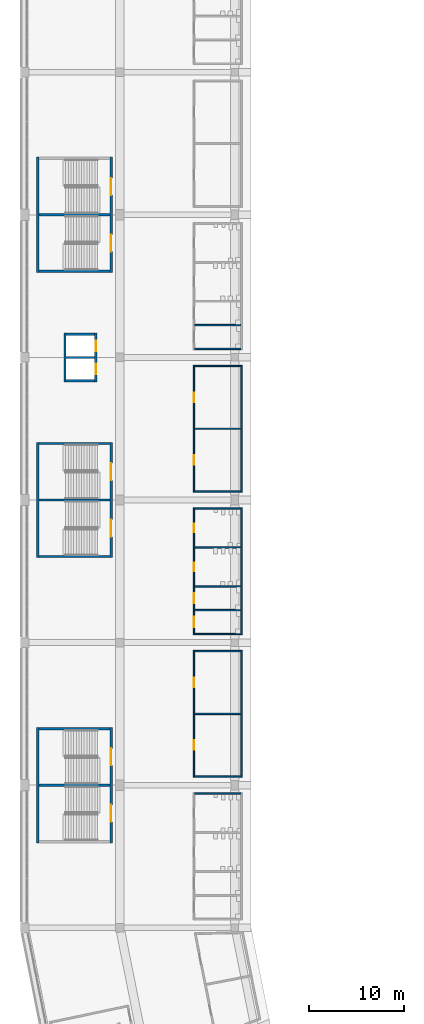
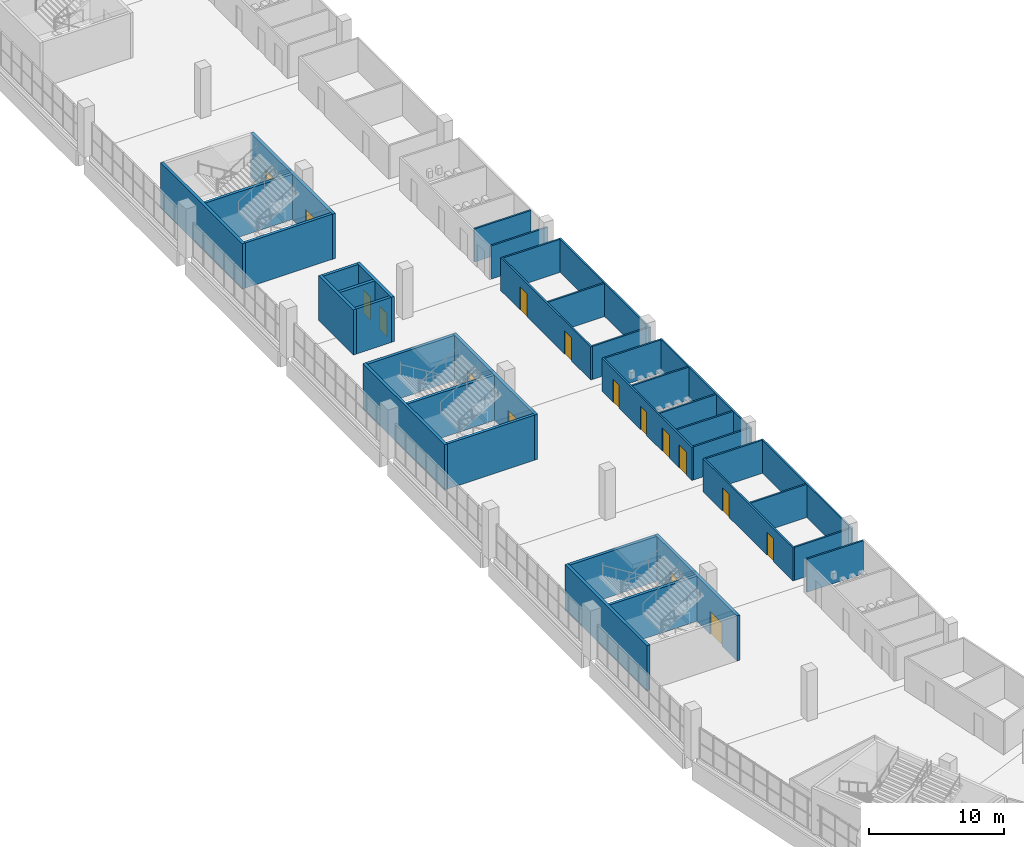
# One storey, part 79 of 199: 38 walls, 16 doors, 16 openings.
"""IFC4 building model written with IfcOpenShell, lengths in metres."""

from ifc_helpers import new_model, si_unit, direction, frame, frame_2d, origin, place, context, subcontext, project, spatial, rectangle, extrude, material, layer, layer_set, type_object, element, fill, save


model = new_model("IFC4")

# Units and contexts
model_context = context("Model", 3, precision=1e-05, world=origin(), true_north=direction((0.0, 1.0)))
body_context = subcontext(model_context, "Body", "Model", "MODEL_VIEW")
ifc_project = project(units=[si_unit("LENGTHUNIT", "METRE"), si_unit("AREAUNIT", "SQUARE_METRE"), si_unit("VOLUMEUNIT", "CUBIC_METRE"), si_unit("PLANEANGLEUNIT", "RADIAN"), si_unit("MASSUNIT", "GRAM", prefix="KILO")], contexts=[model_context])

# Site, building, storey
site_placement = place(None, origin())
site = spatial("IfcSite", under=ifc_project, at=site_placement, CompositionType="ELEMENT")
building_placement = place(site_placement, origin())
building = spatial("IfcBuilding", under=site, at=building_placement, Name="Ogive Plaza Stadium", CompositionType="ELEMENT")
storey_placement = place(building_placement, frame((0.0, 0.0, 4.5)))
storey = spatial("IfcBuildingStorey", under=building, at=storey_placement, Name="L01", CompositionType="ELEMENT", Elevation=4.5)

# Wall
ifc_material_1 = material(Name="Masonry blockwork", Category="masonry")
ifc_layer_1 = layer(ifc_material_1, 0.14990234375)
ifc_layer_set_1 = layer_set([ifc_layer_1], Name="Blockwork wall 150")
wall_type_1 = type_object("IfcWallType", Name="Blockwork wall 150", PredefinedType="SOLIDWALL", material=ifc_layer_set_1)
wall_1_placement = place(storey_placement, frame((-61.199951171875, -36.675048828125, 0.0), z_axis=(0.0, 0.0, 1.0), x_axis=(0.0, 1.0, 0.0)))
element("IfcWall", 1, at=wall_1_placement, inside=storey, type_object=wall_type_1, Name="Wall L01 B22", PredefinedType="SOLIDWALL", context=body_context, shape_type="SweptSolid", body=[
    extrude(rectangle(XDim=13.35009765625, YDim=0.14990234375, at=frame_2d((6.675048828125, 0.0))), origin(), (0.0, 0.0, 1.0), 3.0),
])

# Wall, openings, doors
wall_2_placement = place(storey_placement, frame((-66.199951171875, -36.675048828125, 0.0), z_axis=(0.0, 0.0, 1.0), x_axis=(0.0, 1.0, 0.0)))
wall_2 = element("IfcWall", 2, at=wall_2_placement, inside=storey, type_object=wall_type_1, Name="Wall L01 B22", PredefinedType="SOLIDWALL", context=body_context, shape_type="SweptSolid", body=[
    extrude(rectangle(XDim=13.35009765625, YDim=0.14990234375, at=frame_2d((6.675048828125, 0.0))), origin(), (0.0, 0.0, 1.0), 3.0),
])
opening_1_placement = place(wall_2_placement, frame((2.875, 0.0, 0.0)))
opening_1 = element("IfcOpeningElement", 3, at=opening_1_placement, cuts=wall_2, Name="Opening D0541", PredefinedType="OPENING", context=body_context, shape_type="SweptSolid", body=[
    extrude(rectangle(XDim=1.0, YDim=2.10009765625, at=frame_2d((0.5, 1.050048828125))), frame((0.0, 0.074951171875, 0.0), z_axis=(0.0, -1.0, 0.0), x_axis=(1.0, 0.0, 0.0)), (0.0, 0.0, 1.0), 0.14990234375),
])
opening_2_placement = place(wall_2_placement, frame((9.47509765625, 0.0, 0.0)))
opening_2 = element("IfcOpeningElement", 4, at=opening_2_placement, cuts=wall_2, Name="Opening D0542", PredefinedType="OPENING", context=body_context, shape_type="SweptSolid", body=[
    extrude(rectangle(XDim=1.0, YDim=2.10009765625, at=frame_2d((0.5, 1.050048828125))), frame((0.0, 0.074951171875, 0.0), z_axis=(0.0, -1.0, 0.0), x_axis=(1.0, 0.0, 0.0)), (0.0, 0.0, 1.0), 0.14990234375),
])
ifc_material_2 = material(Name="Steel ASTM A572 Grade 50", Category="steel")
door_type_1 = type_object("IfcDoorType", Name="Door 1000 x 2100", OperationType="SINGLE_SWING_LEFT", PredefinedType="DOOR", material=ifc_material_2)
door_1_placement = place(opening_1_placement, origin())
door_1 = element("IfcDoor", 5, at=door_1_placement, inside=storey, type_object=door_type_1, Name="Club Bar B22 door", OperationType="SINGLE_SWING_RIGHT", OverallHeight=2.10009765625, OverallWidth=1.0, PredefinedType="DOOR", context=body_context, shape_type="SweptSolid", body=[
    extrude(rectangle(XDim=1.0, YDim=2.10009765625, at=frame_2d((0.5, 1.050048828125))), frame((0.0, 0.02490234375, 0.0), z_axis=(0.0, -1.0, 0.0), x_axis=(1.0, 0.0, 0.0)), (0.0, 0.0, 1.0), 0.050048828125),
])
fill(opening_1, door_1)
ifc_material_3 = material(Name="Steel ASTM A572 Grade 50", Category="steel")
door_type_2 = type_object("IfcDoorType", Name="Fire door FD60 1000 x 2100", OperationType="SINGLE_SWING_LEFT", PredefinedType="DOOR", material=ifc_material_3)
door_2_placement = place(opening_2_placement, origin())
door_2 = element("IfcDoor", 6, at=door_2_placement, inside=storey, type_object=door_type_2, Name="Club Kitchen B22 door", OperationType="SINGLE_SWING_LEFT", OverallHeight=2.10009765625, OverallWidth=1.0, PredefinedType="DOOR", context=body_context, shape_type="SweptSolid", body=[
    extrude(rectangle(XDim=1.0, YDim=2.10009765625, at=frame_2d((0.5, 1.050048828125))), frame((0.0, 0.02490234375, 0.0), z_axis=(0.0, -1.0, 0.0), x_axis=(1.0, 0.0, 0.0)), (0.0, 0.0, 1.0), 0.050048828125),
])
fill(opening_2, door_2)

# Walls
for number, where, z_axis, x_axis, name in (
    (7, (-61.27490234375, -36.60009765625, 0.0), (0.0, 0.0, 1.0), (-1.0, 0.0, 0.0), "Wall L01 B22"),
    (8, (-61.27490234375, -30.0, 0.0), (0.0, 0.0, 1.0), (-1.0, 0.0, 0.0), "Wall L01 B22"),
    (9, (-61.27490234375, -23.39990234375, 0.0), (0.0, 0.0, 1.0), (-1.0, 0.0, 0.0), "Wall L01 B22"),
):
    element("IfcWall", number, at=place(storey_placement, frame(where, z_axis=z_axis, x_axis=x_axis)), inside=storey, type_object=wall_type_1, Name=name, PredefinedType="SOLIDWALL", context=body_context, shape_type="SweptSolid", body=[
        extrude(rectangle(XDim=4.85009765625, YDim=0.14990234375, at=frame_2d((2.425048828125, 0.0))), origin(), (0.0, 0.0, 1.0), 3.0),
    ])
wall_3_placement = place(storey_placement, frame((-61.199951171875, -6.675048828125, 0.0), z_axis=(0.0, 0.0, 1.0), x_axis=(0.0, 1.0, 0.0)))
element("IfcWall", 10, at=wall_3_placement, inside=storey, type_object=wall_type_1, Name="Wall L01 B24", PredefinedType="SOLIDWALL", context=body_context, shape_type="SweptSolid", body=[
    extrude(rectangle(XDim=13.35009765625, YDim=0.14990234375, at=frame_2d((6.675048828125, 0.0))), origin(), (0.0, 0.0, 1.0), 3.0),
])

# Wall, openings, doors
wall_4_placement = place(storey_placement, frame((-66.199951171875, -6.675048828125, 0.0), z_axis=(0.0, 0.0, 1.0), x_axis=(0.0, 1.0, 0.0)))
wall_4 = element("IfcWall", 11, at=wall_4_placement, inside=storey, type_object=wall_type_1, Name="Wall L01 B24", PredefinedType="SOLIDWALL", context=body_context, shape_type="SweptSolid", body=[
    extrude(rectangle(XDim=13.35009765625, YDim=0.14990234375, at=frame_2d((6.675048828125, 0.0))), origin(), (0.0, 0.0, 1.0), 3.0),
])
opening_3_placement = place(wall_4_placement, frame((2.875, 0.0, 0.0)))
opening_3 = element("IfcOpeningElement", 12, at=opening_3_placement, cuts=wall_4, Name="Opening D0547", PredefinedType="OPENING", context=body_context, shape_type="SweptSolid", body=[
    extrude(rectangle(XDim=1.0, YDim=2.10009765625, at=frame_2d((0.5, 1.050048828125))), frame((0.0, 0.074951171875, 0.0), z_axis=(0.0, -1.0, 0.0), x_axis=(1.0, 0.0, 0.0)), (0.0, 0.0, 1.0), 0.14990234375),
])
opening_4_placement = place(wall_4_placement, frame((9.47509765625, 0.0, 0.0)))
opening_4 = element("IfcOpeningElement", 13, at=opening_4_placement, cuts=wall_4, Name="Opening D0548", PredefinedType="OPENING", context=body_context, shape_type="SweptSolid", body=[
    extrude(rectangle(XDim=1.0, YDim=2.10009765625, at=frame_2d((0.5, 1.050048828125))), frame((0.0, 0.074951171875, 0.0), z_axis=(0.0, -1.0, 0.0), x_axis=(1.0, 0.0, 0.0)), (0.0, 0.0, 1.0), 0.14990234375),
])
door_3_placement = place(opening_3_placement, origin())
door_3 = element("IfcDoor", 14, at=door_3_placement, inside=storey, type_object=door_type_1, Name="Club Bar B24 door", OperationType="SINGLE_SWING_RIGHT", OverallHeight=2.10009765625, OverallWidth=1.0, PredefinedType="DOOR", context=body_context, shape_type="SweptSolid", body=[
    extrude(rectangle(XDim=1.0, YDim=2.10009765625, at=frame_2d((0.5, 1.050048828125))), frame((0.0, 0.02490234375, 0.0), z_axis=(0.0, -1.0, 0.0), x_axis=(1.0, 0.0, 0.0)), (0.0, 0.0, 1.0), 0.050048828125),
])
fill(opening_3, door_3)
door_4_placement = place(opening_4_placement, origin())
door_4 = element("IfcDoor", 15, at=door_4_placement, inside=storey, type_object=door_type_2, Name="Club Kitchen B24 door", OperationType="SINGLE_SWING_LEFT", OverallHeight=2.10009765625, OverallWidth=1.0, PredefinedType="DOOR", context=body_context, shape_type="SweptSolid", body=[
    extrude(rectangle(XDim=1.0, YDim=2.10009765625, at=frame_2d((0.5, 1.050048828125))), frame((0.0, 0.02490234375, 0.0), z_axis=(0.0, -1.0, 0.0), x_axis=(1.0, 0.0, 0.0)), (0.0, 0.0, 1.0), 0.050048828125),
])
fill(opening_4, door_4)

# Walls
for number, where, z_axis, x_axis, name in (
    (16, (-61.27490234375, -6.60009765625, 0.0), (0.0, 0.0, 1.0), (-1.0, 0.0, 0.0), "Wall L01 B24"),
    (17, (-61.27490234375, 0.0, 0.0), (0.0, 0.0, 1.0), (-1.0, 0.0, 0.0), "Wall L01 B24"),
    (18, (-61.27490234375, 6.60009765625, 0.0), (0.0, 0.0, 1.0), (-1.0, 0.0, 0.0), "Wall L01 B24"),
):
    element("IfcWall", number, at=place(storey_placement, frame(where, z_axis=z_axis, x_axis=x_axis)), inside=storey, type_object=wall_type_1, Name=name, PredefinedType="SOLIDWALL", context=body_context, shape_type="SweptSolid", body=[
        extrude(rectangle(XDim=4.85009765625, YDim=0.14990234375, at=frame_2d((2.425048828125, 0.0))), origin(), (0.0, 0.0, 1.0), 3.0),
    ])

# Wall, openings, doors
ifc_material_4 = material(Name="Concrete C40/50", Category="concrete")
ifc_layer_2 = layer(ifc_material_4, 0.25)
ifc_layer_set_2 = layer_set([ifc_layer_2], Name="Concrete C40/50")
wall_type_2 = type_object("IfcWallType", Name="Core wall 250", PredefinedType="SHEAR", material=ifc_layer_set_2)
wall_5_placement = place(storey_placement, frame((-74.925048828125, -31.425048828125, 0.0), z_axis=(0.0, 0.0, 1.0), x_axis=(0.0, -1.0, 0.0)))
wall_5 = element("IfcWall", 19, at=wall_5_placement, inside=storey, type_object=wall_type_2, Name="Stair core R22 inner wall", PredefinedType="SHEAR", context=body_context, shape_type="SweptSolid", body=[
    extrude(rectangle(XDim=12.14990234375, YDim=0.25, at=frame_2d((6.074951171875, 0.0))), origin(), (0.0, 0.0, 1.0), 4.090087890625),
])
opening_5_placement = place(wall_5_placement, frame((2.199951171875, 0.0, 0.0)))
opening_5 = element("IfcOpeningElement", 20, at=opening_5_placement, cuts=wall_5, Name="Opening D0173", PredefinedType="OPENING", context=body_context, shape_type="SweptSolid", body=[
    extrude(rectangle(XDim=1.800048828125, YDim=2.10009765625, at=frame_2d((0.89990234375, 1.050048828125))), frame((0.0, 0.125, 0.0), z_axis=(0.0, -1.0, 0.0), x_axis=(1.0, 0.0, 0.0)), (0.0, 0.0, 1.0), 0.25),
])
opening_6_placement = place(wall_5_placement, frame((8.14990234375, 0.0, 0.0)))
opening_6 = element("IfcOpeningElement", 21, at=opening_6_placement, cuts=wall_5, Name="Opening D0174", PredefinedType="OPENING", context=body_context, shape_type="SweptSolid", body=[
    extrude(rectangle(XDim=1.800048828125, YDim=2.10009765625, at=frame_2d((0.89990234375, 1.050048828125))), frame((0.0, 0.125, 0.0), z_axis=(0.0, -1.0, 0.0), x_axis=(1.0, 0.0, 0.0)), (0.0, 0.0, 1.0), 0.25),
])
ifc_material_5 = material(Name="Steel ASTM A572 Grade 50", Category="steel")
door_type_3 = type_object("IfcDoorType", Name="Fire door FD90 pair 1800 x 2100", OperationType="DOUBLE_DOOR_SINGLE_SWING", PredefinedType="DOOR", material=ifc_material_5)
door_5_placement = place(opening_5_placement, origin())
door_5 = element("IfcDoor", 22, at=door_5_placement, inside=storey, type_object=door_type_3, Name="Exit stair R22A door L01", OperationType="DOUBLE_DOOR_SINGLE_SWING", OverallHeight=2.10009765625, OverallWidth=1.800048828125, PredefinedType="DOOR", context=body_context, shape_type="SweptSolid", body=[
    extrude(rectangle(XDim=1.800048828125, YDim=2.10009765625, at=frame_2d((0.89990234375, 1.050048828125))), frame((0.0, 0.02490234375, 0.0), z_axis=(0.0, -1.0, 0.0), x_axis=(1.0, 0.0, 0.0)), (0.0, 0.0, 1.0), 0.050048828125),
])
fill(opening_5, door_5)
door_6_placement = place(opening_6_placement, origin())
door_6 = element("IfcDoor", 23, at=door_6_placement, inside=storey, type_object=door_type_3, Name="Exit stair R22B door L01", OperationType="DOUBLE_DOOR_SINGLE_SWING", OverallHeight=2.10009765625, OverallWidth=1.800048828125, PredefinedType="DOOR", context=body_context, shape_type="SweptSolid", body=[
    extrude(rectangle(XDim=1.800048828125, YDim=2.10009765625, at=frame_2d((0.89990234375, 1.050048828125))), frame((0.0, 0.02490234375, 0.0), z_axis=(0.0, -1.0, 0.0), x_axis=(1.0, 0.0, 0.0)), (0.0, 0.0, 1.0), 0.050048828125),
])
fill(opening_6, door_6)

# Walls
wall_6_placement = place(storey_placement, frame((-82.635009765625, -31.425048828125, 0.0), z_axis=(0.0, 0.0, 1.0), x_axis=(0.0, -1.0, 0.0)))
element("IfcWall", 24, at=wall_6_placement, inside=storey, type_object=wall_type_2, Name="Stair core R22 outer wall", PredefinedType="SHEAR", context=body_context, shape_type="SweptSolid", body=[
    extrude(rectangle(XDim=12.14990234375, YDim=0.25, at=frame_2d((6.074951171875, 0.0))), origin(), (0.0, 0.0, 1.0), 4.090087890625),
])
for number, where, z_axis, x_axis, name in (
    (25, (-75.050048828125, -31.550048828125, 0.0), (0.0, 0.0, 1.0), (-1.0, 0.0, 0.0), "Stair core R22 side wall"),
    (26, (-75.050048828125, -37.5, 0.0), (0.0, 0.0, 1.0), (-1.0, 0.0, 0.0), "Stair core R22 centre wall"),
):
    element("IfcWall", number, at=place(storey_placement, frame(where, z_axis=z_axis, x_axis=x_axis)), inside=storey, type_object=wall_type_2, Name=name, PredefinedType="SHEAR", context=body_context, shape_type="SweptSolid", body=[
        extrude(rectangle(XDim=7.4599609375, YDim=0.25, at=frame_2d((3.72998046875, 0.0))), origin(), (0.0, 0.0, 1.0), 4.090087890625),
    ])

# Wall, openings, doors
wall_7_placement = place(storey_placement, frame((-74.925048828125, -1.425048828125, 0.0), z_axis=(0.0, 0.0, 1.0), x_axis=(0.0, -1.0, 0.0)))
wall_7 = element("IfcWall", 27, at=wall_7_placement, inside=storey, type_object=wall_type_2, Name="Stair core R24 inner wall", PredefinedType="SHEAR", context=body_context, shape_type="SweptSolid", body=[
    extrude(rectangle(XDim=12.14990234375, YDim=0.25, at=frame_2d((6.074951171875, 0.0))), origin(), (0.0, 0.0, 1.0), 4.090087890625),
])
opening_7_placement = place(wall_7_placement, frame((2.199951171875, 0.0, 0.0)))
opening_7 = element("IfcOpeningElement", 28, at=opening_7_placement, cuts=wall_7, Name="Opening D0185", PredefinedType="OPENING", context=body_context, shape_type="SweptSolid", body=[
    extrude(rectangle(XDim=1.800048828125, YDim=2.10009765625, at=frame_2d((0.89990234375, 1.050048828125))), frame((0.0, 0.125, 0.0), z_axis=(0.0, -1.0, 0.0), x_axis=(1.0, 0.0, 0.0)), (0.0, 0.0, 1.0), 0.25),
])
opening_8_placement = place(wall_7_placement, frame((8.14990234375, 0.0, 0.0)))
opening_8 = element("IfcOpeningElement", 29, at=opening_8_placement, cuts=wall_7, Name="Opening D0186", PredefinedType="OPENING", context=body_context, shape_type="SweptSolid", body=[
    extrude(rectangle(XDim=1.800048828125, YDim=2.10009765625, at=frame_2d((0.89990234375, 1.050048828125))), frame((0.0, 0.125, 0.0), z_axis=(0.0, -1.0, 0.0), x_axis=(1.0, 0.0, 0.0)), (0.0, 0.0, 1.0), 0.25),
])
door_7_placement = place(opening_7_placement, origin())
door_7 = element("IfcDoor", 30, at=door_7_placement, inside=storey, type_object=door_type_3, Name="Exit stair R24A door L01", OperationType="DOUBLE_DOOR_SINGLE_SWING", OverallHeight=2.10009765625, OverallWidth=1.800048828125, PredefinedType="DOOR", context=body_context, shape_type="SweptSolid", body=[
    extrude(rectangle(XDim=1.800048828125, YDim=2.10009765625, at=frame_2d((0.89990234375, 1.050048828125))), frame((0.0, 0.02490234375, 0.0), z_axis=(0.0, -1.0, 0.0), x_axis=(1.0, 0.0, 0.0)), (0.0, 0.0, 1.0), 0.050048828125),
])
fill(opening_7, door_7)
door_8_placement = place(opening_8_placement, origin())
door_8 = element("IfcDoor", 31, at=door_8_placement, inside=storey, type_object=door_type_3, Name="Exit stair R24B door L01", OperationType="DOUBLE_DOOR_SINGLE_SWING", OverallHeight=2.10009765625, OverallWidth=1.800048828125, PredefinedType="DOOR", context=body_context, shape_type="SweptSolid", body=[
    extrude(rectangle(XDim=1.800048828125, YDim=2.10009765625, at=frame_2d((0.89990234375, 1.050048828125))), frame((0.0, 0.02490234375, 0.0), z_axis=(0.0, -1.0, 0.0), x_axis=(1.0, 0.0, 0.0)), (0.0, 0.0, 1.0), 0.050048828125),
])
fill(opening_8, door_8)

# Walls
wall_8_placement = place(storey_placement, frame((-82.635009765625, -1.425048828125, 0.0), z_axis=(0.0, 0.0, 1.0), x_axis=(0.0, -1.0, 0.0)))
element("IfcWall", 32, at=wall_8_placement, inside=storey, type_object=wall_type_2, Name="Stair core R24 outer wall", PredefinedType="SHEAR", context=body_context, shape_type="SweptSolid", body=[
    extrude(rectangle(XDim=12.14990234375, YDim=0.25, at=frame_2d((6.074951171875, 0.0))), origin(), (0.0, 0.0, 1.0), 4.090087890625),
])
for number, where, z_axis, x_axis, name in (
    (33, (-75.050048828125, -1.550048828125, 0.0), (0.0, 0.0, 1.0), (-1.0, 0.0, 0.0), "Stair core R24 side wall"),
    (34, (-75.050048828125, -13.449951171875, 0.0), (0.0, 0.0, 1.0), (-1.0, 0.0, 0.0), "Stair core R24 side wall"),
    (35, (-75.050048828125, -7.5, 0.0), (0.0, 0.0, 1.0), (-1.0, 0.0, 0.0), "Stair core R24 centre wall"),
):
    element("IfcWall", number, at=place(storey_placement, frame(where, z_axis=z_axis, x_axis=x_axis)), inside=storey, type_object=wall_type_2, Name=name, PredefinedType="SHEAR", context=body_context, shape_type="SweptSolid", body=[
        extrude(rectangle(XDim=7.4599609375, YDim=0.25, at=frame_2d((3.72998046875, 0.0))), origin(), (0.0, 0.0, 1.0), 4.090087890625),
    ])

# Wall, openings, doors
wall_9_placement = place(storey_placement, frame((-74.925048828125, 28.574951171875, 0.0), z_axis=(0.0, 0.0, 1.0), x_axis=(0.0, -1.0, 0.0)))
wall_9 = element("IfcWall", 36, at=wall_9_placement, inside=storey, type_object=wall_type_2, Name="Stair core R26 inner wall", PredefinedType="SHEAR", context=body_context, shape_type="SweptSolid", body=[
    extrude(rectangle(XDim=12.14990234375, YDim=0.25, at=frame_2d((6.074951171875, 0.0))), origin(), (0.0, 0.0, 1.0), 4.090087890625),
])
opening_9_placement = place(wall_9_placement, frame((2.199951171875, 0.0, 0.0)))
opening_9 = element("IfcOpeningElement", 37, at=opening_9_placement, cuts=wall_9, Name="Opening D0199", PredefinedType="OPENING", context=body_context, shape_type="SweptSolid", body=[
    extrude(rectangle(XDim=1.800048828125, YDim=2.10009765625, at=frame_2d((0.89990234375, 1.050048828125))), frame((0.0, 0.125, 0.0), z_axis=(0.0, -1.0, 0.0), x_axis=(1.0, 0.0, 0.0)), (0.0, 0.0, 1.0), 0.25),
])
opening_10_placement = place(wall_9_placement, frame((8.14990234375, 0.0, 0.0)))
opening_10 = element("IfcOpeningElement", 38, at=opening_10_placement, cuts=wall_9, Name="Opening D0200", PredefinedType="OPENING", context=body_context, shape_type="SweptSolid", body=[
    extrude(rectangle(XDim=1.800048828125, YDim=2.10009765625, at=frame_2d((0.89990234375, 1.050048828125))), frame((0.0, 0.125, 0.0), z_axis=(0.0, -1.0, 0.0), x_axis=(1.0, 0.0, 0.0)), (0.0, 0.0, 1.0), 0.25),
])
door_9_placement = place(opening_9_placement, origin())
door_9 = element("IfcDoor", 39, at=door_9_placement, inside=storey, type_object=door_type_3, Name="Exit stair R26A door L01", OperationType="DOUBLE_DOOR_SINGLE_SWING", OverallHeight=2.10009765625, OverallWidth=1.800048828125, PredefinedType="DOOR", context=body_context, shape_type="SweptSolid", body=[
    extrude(rectangle(XDim=1.800048828125, YDim=2.10009765625, at=frame_2d((0.89990234375, 1.050048828125))), frame((0.0, 0.02490234375, 0.0), z_axis=(0.0, -1.0, 0.0), x_axis=(1.0, 0.0, 0.0)), (0.0, 0.0, 1.0), 0.050048828125),
])
fill(opening_9, door_9)
door_10_placement = place(opening_10_placement, origin())
door_10 = element("IfcDoor", 40, at=door_10_placement, inside=storey, type_object=door_type_3, Name="Exit stair R26B door L01", OperationType="DOUBLE_DOOR_SINGLE_SWING", OverallHeight=2.10009765625, OverallWidth=1.800048828125, PredefinedType="DOOR", context=body_context, shape_type="SweptSolid", body=[
    extrude(rectangle(XDim=1.800048828125, YDim=2.10009765625, at=frame_2d((0.89990234375, 1.050048828125))), frame((0.0, 0.02490234375, 0.0), z_axis=(0.0, -1.0, 0.0), x_axis=(1.0, 0.0, 0.0)), (0.0, 0.0, 1.0), 0.050048828125),
])
fill(opening_10, door_10)

# Walls
wall_10_placement = place(storey_placement, frame((-82.635009765625, 28.574951171875, 0.0), z_axis=(0.0, 0.0, 1.0), x_axis=(0.0, -1.0, 0.0)))
element("IfcWall", 41, at=wall_10_placement, inside=storey, type_object=wall_type_2, Name="Stair core R26 outer wall", PredefinedType="SHEAR", context=body_context, shape_type="SweptSolid", body=[
    extrude(rectangle(XDim=12.14990234375, YDim=0.25, at=frame_2d((6.074951171875, 0.0))), origin(), (0.0, 0.0, 1.0), 4.090087890625),
])
for number, where, z_axis, x_axis, name in (
    (42, (-75.050048828125, 16.550048828125, 0.0), (0.0, 0.0, 1.0), (-1.0, 0.0, 0.0), "Stair core R26 side wall"),
    (43, (-75.050048828125, 22.5, 0.0), (0.0, 0.0, 1.0), (-1.0, 0.0, 0.0), "Stair core R26 centre wall"),
):
    element("IfcWall", number, at=place(storey_placement, frame(where, z_axis=z_axis, x_axis=x_axis)), inside=storey, type_object=wall_type_2, Name=name, PredefinedType="SHEAR", context=body_context, shape_type="SweptSolid", body=[
        extrude(rectangle(XDim=7.4599609375, YDim=0.25, at=frame_2d((3.72998046875, 0.0))), origin(), (0.0, 0.0, 1.0), 4.090087890625),
    ])

# Wall, openings, doors
wall_11_placement = place(storey_placement, frame((-76.52490234375, 10.074951171875, 0.0), z_axis=(0.0, 0.0, 1.0), x_axis=(0.0, -1.0, 0.0)))
wall_11 = element("IfcWall", 44, at=wall_11_placement, inside=storey, type_object=wall_type_2, Name="Lift core LP25 landing wall", PredefinedType="SHEAR", context=body_context, shape_type="SweptSolid", body=[
    extrude(rectangle(XDim=5.14990234375, YDim=0.25, at=frame_2d((2.574951171875, 0.0))), origin(), (0.0, 0.0, 1.0), 4.090087890625),
])
opening_11_placement = place(wall_11_placement, frame((0.800048828125, 0.0, 0.0)))
opening_11 = element("IfcOpeningElement", 45, at=opening_11_placement, cuts=wall_11, Name="Opening LD060", PredefinedType="OPENING", context=body_context, shape_type="SweptSolid", body=[
    extrude(rectangle(XDim=1.10009765625, YDim=2.10009765625, at=frame_2d((0.550048828125, 1.050048828125))), frame((0.0, 0.125, 0.0), z_axis=(0.0, -1.0, 0.0), x_axis=(1.0, 0.0, 0.0)), (0.0, 0.0, 1.0), 0.25),
])
opening_12_placement = place(wall_11_placement, frame((3.25, 0.0, 0.0)))
opening_12 = element("IfcOpeningElement", 46, at=opening_12_placement, cuts=wall_11, Name="Opening LD061", PredefinedType="OPENING", context=body_context, shape_type="SweptSolid", body=[
    extrude(rectangle(XDim=1.10009765625, YDim=2.10009765625, at=frame_2d((0.550048828125, 1.050048828125))), frame((0.0, 0.125, 0.0), z_axis=(0.0, -1.0, 0.0), x_axis=(1.0, 0.0, 0.0)), (0.0, 0.0, 1.0), 0.25),
])
ifc_material_6 = material(Name="Steel ASTM A572 Grade 50", Category="steel")
door_type_4 = type_object("IfcDoorType", Name="Landing door 1100 x 2100", OperationType="SLIDING_TO_LEFT", PredefinedType="DOOR", material=ifc_material_6)
door_11_placement = place(opening_11_placement, origin())
door_11 = element("IfcDoor", 47, at=door_11_placement, inside=storey, type_object=door_type_4, Name="Lift landing door LP25 L01", OperationType="SLIDING_TO_LEFT", OverallHeight=2.10009765625, OverallWidth=1.10009765625, PredefinedType="DOOR", context=body_context, shape_type="SweptSolid", body=[
    extrude(rectangle(XDim=1.10009765625, YDim=2.10009765625, at=frame_2d((0.550048828125, 1.050048828125))), frame((0.0, 0.02490234375, 0.0), z_axis=(0.0, -1.0, 0.0), x_axis=(1.0, 0.0, 0.0)), (0.0, 0.0, 1.0), 0.050048828125),
])
fill(opening_11, door_11)
door_12_placement = place(opening_12_placement, origin())
door_12 = element("IfcDoor", 48, at=door_12_placement, inside=storey, type_object=door_type_4, Name="Lift landing door LP25 L01", OperationType="SLIDING_TO_LEFT", OverallHeight=2.10009765625, OverallWidth=1.10009765625, PredefinedType="DOOR", context=body_context, shape_type="SweptSolid", body=[
    extrude(rectangle(XDim=1.10009765625, YDim=2.10009765625, at=frame_2d((0.550048828125, 1.050048828125))), frame((0.0, 0.02490234375, 0.0), z_axis=(0.0, -1.0, 0.0), x_axis=(1.0, 0.0, 0.0)), (0.0, 0.0, 1.0), 0.050048828125),
])
fill(opening_12, door_12)

# Walls
wall_12_placement = place(storey_placement, frame((-79.77490234375, 10.074951171875, 0.0), z_axis=(0.0, 0.0, 1.0), x_axis=(0.0, -1.0, 0.0)))
element("IfcWall", 49, at=wall_12_placement, inside=storey, type_object=wall_type_2, Name="Lift core LP25 rear wall", PredefinedType="SHEAR", context=body_context, shape_type="SweptSolid", body=[
    extrude(rectangle(XDim=5.14990234375, YDim=0.25, at=frame_2d((2.574951171875, 0.0))), origin(), (0.0, 0.0, 1.0), 4.090087890625),
])
for number, where, z_axis, x_axis, name in (
    (50, (-76.64990234375, 9.949951171875, 0.0), (0.0, 0.0, 1.0), (-1.0, 0.0, 0.0), "Lift core LP25 side wall"),
    (51, (-76.64990234375, 5.050048828125, 0.0), (0.0, 0.0, 1.0), (-1.0, 0.0, 0.0), "Lift core LP25 side wall"),
    (52, (-76.64990234375, 7.5, 0.0), (0.0, 0.0, 1.0), (-1.0, 0.0, 0.0), "Lift core LP25 centre wall"),
):
    element("IfcWall", number, at=place(storey_placement, frame(where, z_axis=z_axis, x_axis=x_axis)), inside=storey, type_object=wall_type_2, Name=name, PredefinedType="SHEAR", context=body_context, shape_type="SweptSolid", body=[
        extrude(rectangle(XDim=3.0, YDim=0.25, at=frame_2d((1.5, 0.0))), origin(), (0.0, 0.0, 1.0), 4.090087890625),
    ])
ifc_material_7 = material(Name="Gypsum board partition", Category="gypsum")
ifc_layer_3 = layer(ifc_material_7, 0.14990234375)
ifc_layer_set_3 = layer_set([ifc_layer_3], Name="Partition 150")
wall_type_3 = type_object("IfcWallType", Name="Partition 150", PredefinedType="PARTITIONING", material=ifc_layer_set_3)
wall_13_placement = place(storey_placement, frame((-61.27490234375, -38.39990234375, 0.0), z_axis=(0.0, 0.0, 1.0), x_axis=(-1.0, 0.0, 0.0)))
element("IfcWall", 53, at=wall_13_placement, inside=storey, type_object=wall_type_3, Name="Wall L01 B21", PredefinedType="PARTITIONING", context=body_context, shape_type="SweptSolid", body=[
    extrude(rectangle(XDim=4.85009765625, YDim=0.14990234375, at=frame_2d((2.425048828125, 0.0))), origin(), (0.0, 0.0, 1.0), 3.0),
])
wall_14_placement = place(storey_placement, frame((-61.199951171875, -8.324951171875, 0.0), z_axis=(0.0, 0.0, 1.0), x_axis=(0.0, -1.0, 0.0)))
element("IfcWall", 54, at=wall_14_placement, inside=storey, type_object=wall_type_3, Name="Wall L01 B23", PredefinedType="PARTITIONING", context=body_context, shape_type="SweptSolid", body=[
    extrude(rectangle(XDim=13.35009765625, YDim=0.14990234375, at=frame_2d((6.675048828125, 0.0))), origin(), (0.0, 0.0, 1.0), 3.0),
])

# Wall, openings, doors
wall_15_placement = place(storey_placement, frame((-66.199951171875, -8.324951171875, 0.0), z_axis=(0.0, 0.0, 1.0), x_axis=(0.0, -1.0, 0.0)))
wall_15 = element("IfcWall", 55, at=wall_15_placement, inside=storey, type_object=wall_type_3, Name="Wall L01 B23", PredefinedType="PARTITIONING", context=body_context, shape_type="SweptSolid", body=[
    extrude(rectangle(XDim=13.35009765625, YDim=0.14990234375, at=frame_2d((6.675048828125, 0.0))), origin(), (0.0, 0.0, 1.0), 3.0),
])
opening_13_placement = place(wall_15_placement, frame((1.6708984375, 0.0, 0.0)))
opening_13 = element("IfcOpeningElement", 56, at=opening_13_placement, cuts=wall_15, Name="Opening D0543", PredefinedType="OPENING", context=body_context, shape_type="SweptSolid", body=[
    extrude(rectangle(XDim=0.89990234375, YDim=2.10009765625, at=frame_2d((0.449951171875, 1.050048828125))), frame((0.0, 0.074951171875, 0.0), z_axis=(0.0, -1.0, 0.0), x_axis=(1.0, 0.0, 0.0)), (0.0, 0.0, 1.0), 0.14990234375),
])
opening_14_placement = place(wall_15_placement, frame((5.762939453125, 0.0, 0.0)))
opening_14 = element("IfcOpeningElement", 57, at=opening_14_placement, cuts=wall_15, Name="Opening D0544", PredefinedType="OPENING", context=body_context, shape_type="SweptSolid", body=[
    extrude(rectangle(XDim=0.89990234375, YDim=2.10009765625, at=frame_2d((0.449951171875, 1.050048828125))), frame((0.0, 0.074951171875, 0.0), z_axis=(0.0, -1.0, 0.0), x_axis=(1.0, 0.0, 0.0)), (0.0, 0.0, 1.0), 0.14990234375),
])
opening_15_placement = place(wall_15_placement, frame((8.962890625, 0.0, 0.0)))
opening_15 = element("IfcOpeningElement", 58, at=opening_15_placement, cuts=wall_15, Name="Opening D0545", PredefinedType="OPENING", context=body_context, shape_type="SweptSolid", body=[
    extrude(rectangle(XDim=1.10009765625, YDim=2.10009765625, at=frame_2d((0.550048828125, 1.050048828125))), frame((0.0, 0.074951171875, 0.0), z_axis=(0.0, -1.0, 0.0), x_axis=(1.0, 0.0, 0.0)), (0.0, 0.0, 1.0), 0.14990234375),
])
opening_16_placement = place(wall_15_placement, frame((11.470947265625, 0.0, 0.0)))
opening_16 = element("IfcOpeningElement", 59, at=opening_16_placement, cuts=wall_15, Name="Opening D0546", PredefinedType="OPENING", context=body_context, shape_type="SweptSolid", body=[
    extrude(rectangle(XDim=1.10009765625, YDim=2.10009765625, at=frame_2d((0.550048828125, 1.050048828125))), frame((0.0, 0.074951171875, 0.0), z_axis=(0.0, -1.0, 0.0), x_axis=(1.0, 0.0, 0.0)), (0.0, 0.0, 1.0), 0.14990234375),
])
ifc_material_8 = material(Name="Steel ASTM A572 Grade 50", Category="steel")
door_type_5 = type_object("IfcDoorType", Name="Accessible door 1100 x 2100", OperationType="SINGLE_SWING_LEFT", PredefinedType="DOOR", material=ifc_material_8)
door_13_placement = place(opening_15_placement, origin())
door_13 = element("IfcDoor", 60, at=door_13_placement, inside=storey, type_object=door_type_5, Name="Accessible WC B23 door", OperationType="SINGLE_SWING_LEFT", OverallHeight=2.10009765625, OverallWidth=1.10009765625, PredefinedType="DOOR", context=body_context, shape_type="SweptSolid", body=[
    extrude(rectangle(XDim=1.10009765625, YDim=2.10009765625, at=frame_2d((0.550048828125, 1.050048828125))), frame((0.0, 0.02490234375, 0.0), z_axis=(0.0, -1.0, 0.0), x_axis=(1.0, 0.0, 0.0)), (0.0, 0.0, 1.0), 0.050048828125),
])
fill(opening_15, door_13)
door_14_placement = place(opening_16_placement, origin())
door_14 = element("IfcDoor", 61, at=door_14_placement, inside=storey, type_object=door_type_5, Name="Family WC B23 door", OperationType="SINGLE_SWING_RIGHT", OverallHeight=2.10009765625, OverallWidth=1.10009765625, PredefinedType="DOOR", context=body_context, shape_type="SweptSolid", body=[
    extrude(rectangle(XDim=1.10009765625, YDim=2.10009765625, at=frame_2d((0.550048828125, 1.050048828125))), frame((0.0, 0.02490234375, 0.0), z_axis=(0.0, -1.0, 0.0), x_axis=(1.0, 0.0, 0.0)), (0.0, 0.0, 1.0), 0.050048828125),
])
fill(opening_16, door_14)
ifc_material_9 = material(Name="Steel ASTM A572 Grade 50", Category="steel")
door_type_6 = type_object("IfcDoorType", Name="Door 900 x 2100", OperationType="SINGLE_SWING_LEFT", PredefinedType="DOOR", material=ifc_material_9)
door_15_placement = place(opening_13_placement, origin())
door_15 = element("IfcDoor", 62, at=door_15_placement, inside=storey, type_object=door_type_6, Name="Men's Toilet B23 door", OperationType="SINGLE_SWING_LEFT", OverallHeight=2.10009765625, OverallWidth=0.89990234375, PredefinedType="DOOR", context=body_context, shape_type="SweptSolid", body=[
    extrude(rectangle(XDim=0.89990234375, YDim=2.10009765625, at=frame_2d((0.449951171875, 1.050048828125))), frame((0.0, 0.02490234375, 0.0), z_axis=(0.0, -1.0, 0.0), x_axis=(1.0, 0.0, 0.0)), (0.0, 0.0, 1.0), 0.050048828125),
])
fill(opening_13, door_15)
door_16_placement = place(opening_14_placement, origin())
door_16 = element("IfcDoor", 63, at=door_16_placement, inside=storey, type_object=door_type_6, Name="Women's Toilet B23 door", OperationType="SINGLE_SWING_RIGHT", OverallHeight=2.10009765625, OverallWidth=0.89990234375, PredefinedType="DOOR", context=body_context, shape_type="SweptSolid", body=[
    extrude(rectangle(XDim=0.89990234375, YDim=2.10009765625, at=frame_2d((0.449951171875, 1.050048828125))), frame((0.0, 0.02490234375, 0.0), z_axis=(0.0, -1.0, 0.0), x_axis=(1.0, 0.0, 0.0)), (0.0, 0.0, 1.0), 0.050048828125),
])
fill(opening_14, door_16)

# Walls
for number, where, z_axis, x_axis, name in (
    (64, (-61.27490234375, -8.39990234375, 0.0), (0.0, 0.0, 1.0), (-1.0, 0.0, 0.0), "Wall L01 B23"),
    (65, (-61.27490234375, -12.491943359375, 0.0), (0.0, 0.0, 1.0), (-1.0, 0.0, 0.0), "Wall L01 B23"),
    (66, (-61.27490234375, -16.583984375, 0.0), (0.0, 0.0, 1.0), (-1.0, 0.0, 0.0), "Wall L01 B23"),
    (67, (-61.27490234375, -19.092041015625, 0.0), (0.0, 0.0, 1.0), (-1.0, 0.0, 0.0), "Wall L01 B23"),
    (68, (-61.27490234375, -21.60009765625, 0.0), (0.0, 0.0, 1.0), (-1.0, 0.0, 0.0), "Wall L01 B23"),
    (69, (-61.27490234375, 10.907958984375, 0.0), (0.0, 0.0, 1.0), (-1.0, 0.0, 0.0), "Wall L01 B25"),
    (70, (-61.27490234375, 8.39990234375, 0.0), (0.0, 0.0, 1.0), (-1.0, 0.0, 0.0), "Wall L01 B25"),
):
    element("IfcWall", number, at=place(storey_placement, frame(where, z_axis=z_axis, x_axis=x_axis)), inside=storey, type_object=wall_type_3, Name=name, PredefinedType="PARTITIONING", context=body_context, shape_type="SweptSolid", body=[
        extrude(rectangle(XDim=4.85009765625, YDim=0.14990234375, at=frame_2d((2.425048828125, 0.0))), origin(), (0.0, 0.0, 1.0), 3.0),
    ])

save(model, "model.ifc")
